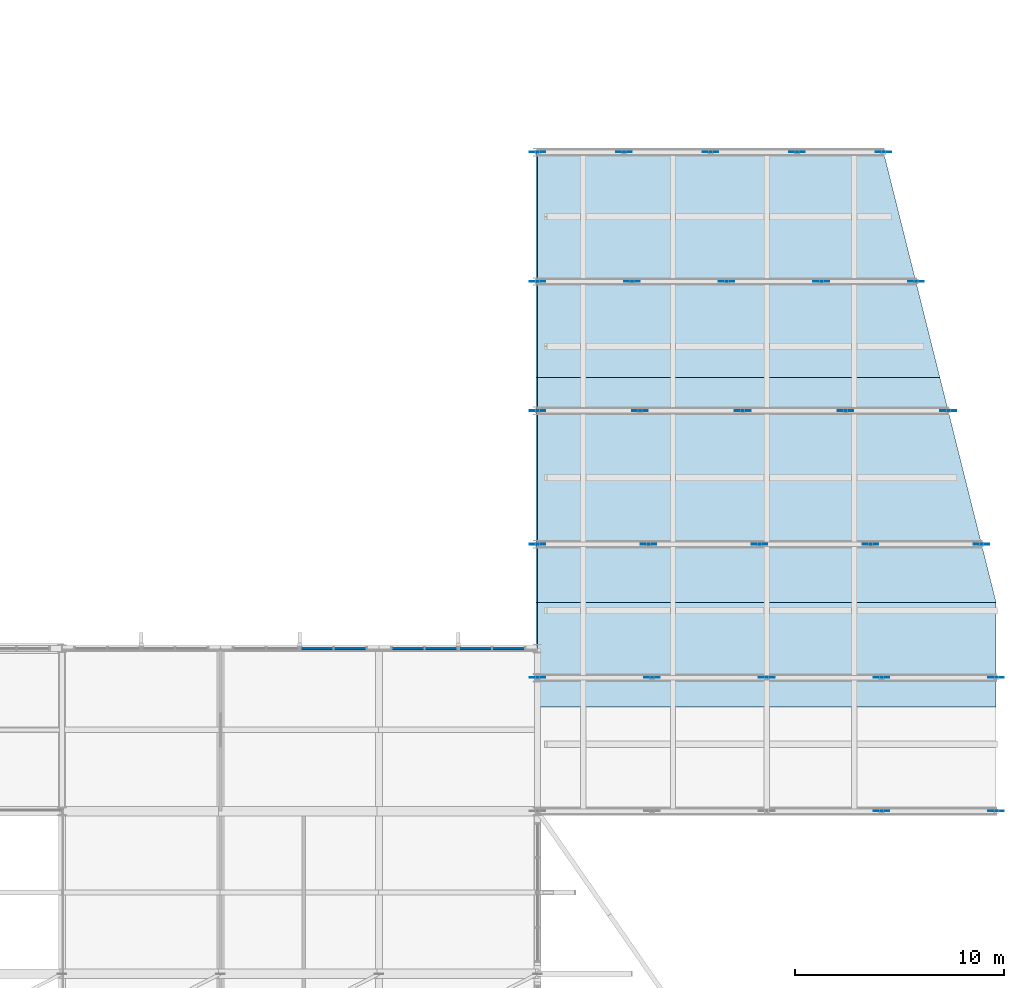
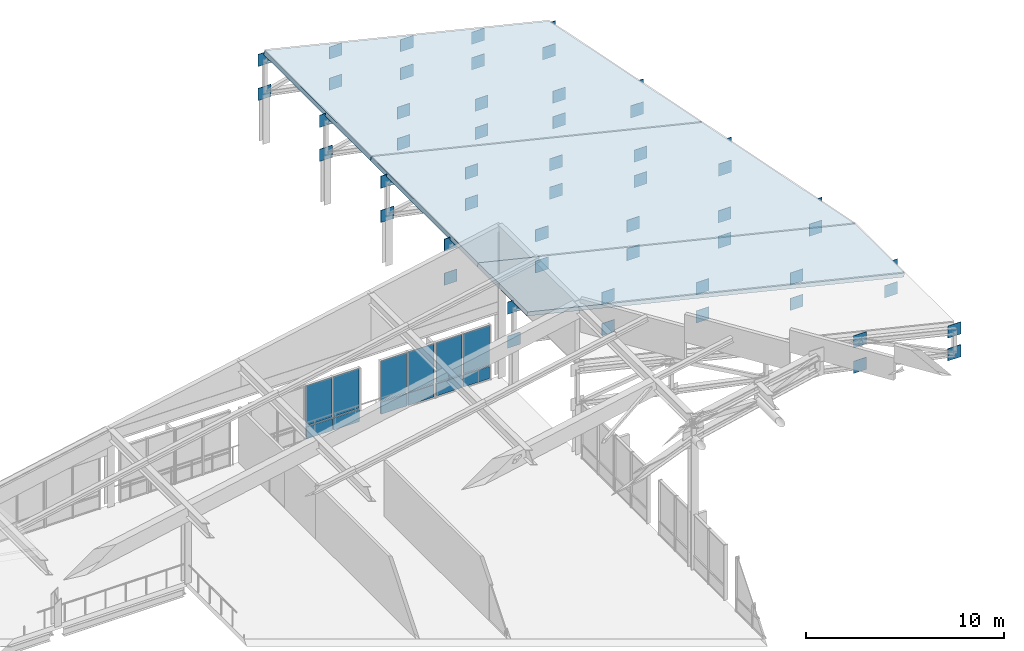
# One storey, part 42 of 73: 66 plates, 3 slabs, 3 elements without a shape of their own.
"""IFC4 building model written with IfcOpenShell, lengths in metres."""

from ifc_helpers import new_model, si_unit, direction, frame, origin, origin_2d, place, context, subcontext, project, spatial, polyline, rectangle, outline, extrude, material, layer, layer_set, type_object, element, aggregate, save


model = new_model("IFC4")

# Units and contexts
model_context = context("Model", 3, precision=1e-05, world=origin(), true_north=direction((0.0, 1.0)))
body_context = subcontext(model_context, "Body", "Model", "MODEL_VIEW")
ifc_project = project(units=[si_unit("LENGTHUNIT", "METRE"), si_unit("AREAUNIT", "SQUARE_METRE"), si_unit("VOLUMEUNIT", "CUBIC_METRE"), si_unit("PLANEANGLEUNIT", "RADIAN"), si_unit("MASSUNIT", "GRAM", prefix="KILO")], contexts=[model_context])

# Site, building, storey
site_placement = place(None, origin())
site = spatial("IfcSite", under=ifc_project, at=site_placement, CompositionType="ELEMENT")
building_placement = place(site_placement, origin())
building = spatial("IfcBuilding", under=site, at=building_placement, Name="Vervanel Yard Central Library", CompositionType="ELEMENT")
storey_placement = place(building_placement, frame((0.0, 0.0, 12.780029296875)))
storey = spatial("IfcBuildingStorey", under=building, at=storey_placement, Name="L03", CompositionType="ELEMENT", Elevation=12.780029296875)

# Slabs
ifc_material_1 = material(Name="Concrete C45/55", Category="concrete")
ifc_layer_1 = layer(ifc_material_1, 0.239990234375, Category="concrete")
ifc_layer_set_1 = layer_set([ifc_layer_1], Name="Concrete C45/55")
slab_type = type_object("IfcSlabType", Name="Auditorium Acoustic Sloped Roof Slab 240", PredefinedType="ROOF", material=ifc_layer_set_1)
slab_1_placement = place(storey_placement, frame((146.0, 79.39990234375, 5.619873046875), z_axis=(0.234200379934, 0.0, 0.972188346998), x_axis=(0.972188346998, 0.0, -0.234200379934)))
element("IfcSlab", 1, at=slab_1_placement, inside=storey, type_object=slab_type, Name="L03 V4 Auditorium Acoustic Sloped Roof Slab 240 V4-RS-02", PredefinedType="ROOF", context=body_context, shape_type="SweptSolid", body=[
    extrude(outline(polyline([(0.0, 0.0), (22.629359905345247, 0.0), (22.629359905345247, 5.000000000000001), (0.0, 5.000000000000001), (0.0, 0.0)])), origin(), (0.0, 0.0, -1.0), 0.239990234375),
])
slab_2_placement = place(storey_placement, frame((146.0, 84.39990234375, 5.619873046875), z_axis=(0.234201007065, 1.35162e-06, 0.972188195921), x_axis=(0.972188195922, -1e-12, -0.234201007065)))
element("IfcSlab", 2, at=slab_2_placement, inside=storey, type_object=slab_type, Name="L03 V4 Auditorium Acoustic Sloped Roof Slab 240 V4-RS-03", PredefinedType="ROOF", context=body_context, shape_type="SweptSolid", body=[
    extrude(outline(polyline([(0.0, 0.0), (22.62935990534054, 1.6940658945086007e-21), (19.852177107108304, 10.800048828152175), (-9.416471203645522e-12, 10.800048828115136), (0.0, 0.0)])), origin(), (0.0, 0.0, -1.0), 0.239990234375),
])
slab_3_placement = place(storey_placement, frame((146.0, 95.199951171875, 5.619873046875), z_axis=(0.234202544315, 1.554922e-06, 0.972187825594), x_axis=(0.972187825596, -1e-12, -0.234202544315)))
element("IfcSlab", 3, at=slab_3_placement, inside=storey, type_object=slab_type, Name="L03 V4 Auditorium Acoustic Sloped Roof Slab 240 V4-RS-04", PredefinedType="ROOF", context=body_context, shape_type="SweptSolid", body=[
    extrude(outline(polyline([(0.0, 0.0), (19.852177107115985, 0.0), (17.074994308928595, 10.800048828160515), (-1.4205635576938419e-11, 10.800048828111942), (0.0, 0.0)])), origin(), (0.0, 0.0, -1.0), 0.239990234375),
])

# Plates
ifc_material_2 = material(Name="Steel ASTM A572 Grade 50", Category="steel")
ifc_layer_2 = layer(ifc_material_2, 0.028076171875, Category="steel")
ifc_layer_set_2 = layer_set([ifc_layer_2], Name="Steel ASTM A572 Grade 50")
plate_type_1 = type_object("IfcPlateType", Name="Auditorium Truss Gusset Plate 28", PredefinedType="SHEET", material=ifc_layer_set_2)
for number, where, z_axis, x_axis, name in (
    (4, (162.5, 74.39990234375, 0.7900390625), (0.0, 0.0, 1.0), (1.0, 0.0, 0.0), "Auditorium Truss 1 Node 4 T Gusset Plate"),
    (5, (162.5, 74.39990234375, -0.784912109375), (0.0, 0.0, 1.0), (1.0, 0.0, 0.0), "Auditorium Truss 1 Node 4 B Gusset Plate"),
    (6, (168.0, 74.39990234375, -0.534912109375), (0.0, 0.0, 1.0), (1.0, 0.0, 0.0), "Auditorium Truss 1 Node 5 T Gusset Plate"),
    (7, (168.0, 74.39990234375, -1.93505859375), (0.0, 0.0, 1.0), (1.0, 0.0, 0.0), "Auditorium Truss 1 Node 5 B Gusset Plate"),
    (8, (146.0, 80.800048828125, 4.764892578125), (0.0, 0.0, 1.0), (1.0, 0.0, 0.0), "Auditorium Truss 2 Node 1 T Gusset Plate"),
    (9, (146.0, 80.800048828125, 2.6650390625), (0.0, 0.0, 1.0), (1.0, 0.0, 0.0), "Auditorium Truss 2 Node 1 B Gusset Plate"),
    (10, (151.5, 80.800048828125, 3.43994140625), (0.0, 0.0, 1.0), (1.0, 0.0, 0.0), "Auditorium Truss 2 Node 2 T Gusset Plate"),
    (11, (151.5, 80.800048828125, 1.514892578125), (0.0, 0.0, 1.0), (1.0, 0.0, 0.0), "Auditorium Truss 2 Node 2 B Gusset Plate"),
    (12, (157.0, 80.800048828125, 2.114990234375), (0.0, 0.0, 1.0), (1.0, 0.0, 0.0), "Auditorium Truss 2 Node 3 T Gusset Plate"),
    (13, (157.0, 80.800048828125, 0.364990234375), (0.0, 0.0, 1.0), (1.0, 0.0, 0.0), "Auditorium Truss 2 Node 3 B Gusset Plate"),
    (14, (162.5, 80.800048828125, 0.7900390625), (0.0, 0.0, 1.0), (1.0, 0.0, 0.0), "Auditorium Truss 2 Node 4 T Gusset Plate"),
    (15, (162.5, 80.800048828125, -0.784912109375), (0.0, 0.0, 1.0), (1.0, 0.0, 0.0), "Auditorium Truss 2 Node 4 B Gusset Plate"),
    (16, (168.0, 80.800048828125, -0.534912109375), (0.0, 0.0, 1.0), (1.0, 0.0, 0.0), "Auditorium Truss 2 Node 5 T Gusset Plate"),
    (17, (168.0, 80.800048828125, -1.93505859375), (0.0, 0.0, 1.0), (1.0, 0.0, 0.0), "Auditorium Truss 2 Node 5 B Gusset Plate"),
    (18, (146.0, 87.199951171875, 4.764892578125), (0.0, 0.0, 1.0), (1.0, 0.0, 0.0), "Auditorium Truss 3 Node 1 T Gusset Plate"),
    (19, (146.0, 87.199951171875, 2.6650390625), (0.0, 0.0, 1.0), (1.0, 0.0, 0.0), "Auditorium Truss 3 Node 1 B Gusset Plate"),
    (20, (151.324951171875, 87.199951171875, 3.482177734375), (0.0, 0.0, 1.0), (1.0, 0.0, 0.0), "Auditorium Truss 3 Node 2 T Gusset Plate"),
    (21, (151.324951171875, 87.199951171875, 1.55712890625), (0.0, 0.0, 1.0), (1.0, 0.0, 0.0), "Auditorium Truss 3 Node 2 B Gusset Plate"),
    (22, (156.64990234375, 87.199951171875, 2.19921875), (0.0, 0.0, 1.0), (1.0, 0.0, 0.0), "Auditorium Truss 3 Node 3 T Gusset Plate"),
    (23, (156.64990234375, 87.199951171875, 0.44921875), (0.0, 0.0, 1.0), (1.0, 0.0, 0.0), "Auditorium Truss 3 Node 3 B Gusset Plate"),
    (24, (161.97509765625, 87.199951171875, 0.91650390625), (0.0, 0.0, 1.0), (1.0, 0.0, 0.0), "Auditorium Truss 3 Node 4 T Gusset Plate"),
    (25, (161.97509765625, 87.199951171875, -0.658447265625), (0.0, 0.0, 1.0), (1.0, 0.0, 0.0), "Auditorium Truss 3 Node 4 B Gusset Plate"),
    (26, (167.300048828125, 87.199951171875, -0.366455078125), (0.0, 0.0, 1.0), (1.0, 0.0, 0.0), "Auditorium Truss 3 Node 5 T Gusset Plate"),
    (27, (167.300048828125, 87.199951171875, -1.766357421875), (0.0, 0.0, 1.0), (1.0, 0.0, 0.0), "Auditorium Truss 3 Node 5 B Gusset Plate"),
    (28, (146.0, 93.60009765625, 4.764892578125), (0.0, 0.0, 1.0), (1.0, 0.0, 0.0), "Auditorium Truss 4 Node 1 T Gusset Plate"),
    (29, (146.0, 93.60009765625, 2.6650390625), (0.0, 0.0, 1.0), (1.0, 0.0, 0.0), "Auditorium Truss 4 Node 1 B Gusset Plate"),
    (30, (150.925048828125, 93.60009765625, 3.578369140625), (0.0, 0.0, 1.0), (1.0, 0.0, 0.0), "Auditorium Truss 4 Node 2 T Gusset Plate"),
    (31, (150.925048828125, 93.60009765625, 1.653564453125), (0.0, 0.0, 1.0), (1.0, 0.0, 0.0), "Auditorium Truss 4 Node 2 B Gusset Plate"),
    (32, (155.85009765625, 93.60009765625, 2.39208984375), (0.0, 0.0, 1.0), (1.0, 0.0, 0.0), "Auditorium Truss 4 Node 3 T Gusset Plate"),
    (33, (155.85009765625, 93.60009765625, 0.64208984375), (0.0, 0.0, 1.0), (1.0, 0.0, 0.0), "Auditorium Truss 4 Node 3 B Gusset Plate"),
    (34, (160.77490234375, 93.60009765625, 1.20556640625), (0.0, 0.0, 1.0), (1.0, 0.0, 0.0), "Auditorium Truss 4 Node 4 T Gusset Plate"),
    (35, (160.77490234375, 93.60009765625, -0.369384765625), (0.0, 0.0, 1.0), (1.0, 0.0, 0.0), "Auditorium Truss 4 Node 4 B Gusset Plate"),
    (36, (165.699951171875, 93.60009765625, 0.01904296875), (0.0, 0.0, 1.0), (1.0, 0.0, 0.0), "Auditorium Truss 4 Node 5 T Gusset Plate"),
    (37, (165.699951171875, 93.60009765625, -1.380859375), (0.0, 0.0, 1.0), (1.0, 0.0, 0.0), "Auditorium Truss 4 Node 5 B Gusset Plate"),
    (38, (146.0, 99.800048828125, 4.764892578125), (0.0, 0.0, 1.0), (1.0, 0.0, 0.0), "Auditorium Truss 5 Node 1 T Gusset Plate"),
    (39, (146.0, 99.800048828125, 2.6650390625), (0.0, 0.0, 1.0), (1.0, 0.0, 0.0), "Auditorium Truss 5 Node 1 B Gusset Plate"),
    (40, (150.53759765625, 99.800048828125, 3.671875), (0.0, 0.0, 1.0), (1.0, 0.0, 0.0), "Auditorium Truss 5 Node 2 T Gusset Plate"),
    (41, (150.53759765625, 99.800048828125, 1.746826171875), (0.0, 0.0, 1.0), (1.0, 0.0, 0.0), "Auditorium Truss 5 Node 2 B Gusset Plate"),
    (42, (155.074951171875, 99.800048828125, 2.578857421875), (0.0, 0.0, 1.0), (1.0, 0.0, 0.0), "Auditorium Truss 5 Node 3 T Gusset Plate"),
    (43, (155.074951171875, 99.800048828125, 0.828857421875), (0.0, 0.0, 1.0), (1.0, 0.0, 0.0), "Auditorium Truss 5 Node 3 B Gusset Plate"),
    (44, (159.612548828125, 99.800048828125, 1.485595703125), (0.0, 0.0, 1.0), (1.0, 0.0, 0.0), "Auditorium Truss 5 Node 4 T Gusset Plate"),
    (45, (159.612548828125, 99.800048828125, -0.08935546875), (0.0, 0.0, 1.0), (1.0, 0.0, 0.0), "Auditorium Truss 5 Node 4 B Gusset Plate"),
    (46, (164.14990234375, 99.800048828125, 0.392578125), (0.0, 0.0, 1.0), (1.0, 0.0, 0.0), "Auditorium Truss 5 Node 5 T Gusset Plate"),
    (47, (164.14990234375, 99.800048828125, -1.007568359375), (0.0, 0.0, 1.0), (1.0, 0.0, 0.0), "Auditorium Truss 5 Node 5 B Gusset Plate"),
    (48, (146.0, 106.0, 4.764892578125), (0.0, 0.0, 1.0), (1.0, 0.0, 0.0), "Auditorium Truss 6 Node 1 T Gusset Plate"),
    (49, (146.0, 106.0, 2.6650390625), (0.0, 0.0, 1.0), (1.0, 0.0, 0.0), "Auditorium Truss 6 Node 1 B Gusset Plate"),
    (50, (150.14990234375, 106.0, 3.76513671875), (0.0, 0.0, 1.0), (1.0, 0.0, 0.0), "Auditorium Truss 6 Node 2 T Gusset Plate"),
    (51, (150.14990234375, 106.0, 1.840087890625), (0.0, 0.0, 1.0), (1.0, 0.0, 0.0), "Auditorium Truss 6 Node 2 B Gusset Plate"),
    (52, (154.300048828125, 106.0, 2.765380859375), (0.0, 0.0, 1.0), (1.0, 0.0, 0.0), "Auditorium Truss 6 Node 3 T Gusset Plate"),
    (53, (154.300048828125, 106.0, 1.015380859375), (0.0, 0.0, 1.0), (1.0, 0.0, 0.0), "Auditorium Truss 6 Node 3 B Gusset Plate"),
    (54, (158.449951171875, 106.0, 1.765625), (0.0, 0.0, 1.0), (1.0, 0.0, 0.0), "Auditorium Truss 6 Node 4 T Gusset Plate"),
    (55, (158.449951171875, 106.0, 0.190673828125), (0.0, 0.0, 1.0), (1.0, 0.0, 0.0), "Auditorium Truss 6 Node 4 B Gusset Plate"),
    (56, (162.60009765625, 106.0, 0.765869140625), (0.0, 0.0, 1.0), (1.0, 0.0, 0.0), "Auditorium Truss 6 Node 5 T Gusset Plate"),
    (57, (162.60009765625, 106.0, -0.634033203125), (0.0, 0.0, 1.0), (1.0, 0.0, 0.0), "Auditorium Truss 6 Node 5 B Gusset Plate"),
):
    element("IfcPlate", number, at=place(storey_placement, frame(where, z_axis=z_axis, x_axis=x_axis)), inside=storey, type_object=plate_type_1, Name=name, PredefinedType="SHEET", context=body_context, shape_type="SweptSolid", body=[
        extrude(rectangle(XDim=0.75, YDim=0.028076171875, at=origin_2d()), origin(), (0.0, 0.0, 1.0), 0.75),
    ])

# Curtain wall, plates
ifc_material_3 = material(Name="Thermally broken anodized aluminium 6063-T6", Category="aluminium")
curtain_wall_type = type_object("IfcCurtainWallType", Name="Prow Cantilever Glazed Curtain Wall", PredefinedType="NOTDEFINED", material=ifc_material_3)
curtain_wall_1_placement = place(storey_placement, origin())
curtain_wall_1 = element("IfcCurtainWall", 58, at=curtain_wall_1_placement, inside=storey, type_object=curtain_wall_type, Name="L03 Prow Cantilever Glazed Curtain Wall CWR-L03-115", PredefinedType="NOTDEFINED")
ifc_material_4 = material(Name="Double low-E laminated solar-control glass", Category="glass")
ifc_layer_3 = layer(ifc_material_4, 0.0380859375, Category="glass")
ifc_layer_set_3 = layer_set([ifc_layer_3], Name="Double low-E laminated solar-control glass")
plate_type_2 = type_object("IfcPlateType", Name="Reading Hall Acoustic Vision Panel 38", PredefinedType="CURTAIN_PANEL", material=ifc_layer_set_3)
plate_1_placement = place(storey_placement, frame((135.427490234375, 82.199951171875, 0.884765625), z_axis=(0.0, 0.0, 1.0), x_axis=(1.0, 0.0, 0.0)))
plate_1 = element("IfcPlate", 59, at=plate_1_placement, type_object=plate_type_2, Name="CWR-L03-115 Panel B1-2", PredefinedType="CURTAIN_PANEL", context=body_context, shape_type="SweptSolid", body=[
    extrude(rectangle(XDim=1.514892578125, YDim=0.0380859375, at=origin_2d()), origin(), (0.0, 0.0, 1.0), 2.445068359375),
])
plate_2_placement = place(storey_placement, frame((137.012451171875, 82.199951171875, 0.884765625), z_axis=(0.0, 0.0, 1.0), x_axis=(1.0, 0.0, 0.0)))
plate_2 = element("IfcPlate", 60, at=plate_2_placement, type_object=plate_type_2, Name="CWR-L03-115 Panel B2-2", PredefinedType="CURTAIN_PANEL", context=body_context, shape_type="SweptSolid", body=[
    extrude(rectangle(XDim=1.514892578125, YDim=0.0380859375, at=origin_2d()), origin(), (0.0, 0.0, 1.0), 2.445068359375),
])

curtain_wall_2_placement = place(storey_placement, origin())
curtain_wall_2 = element("IfcCurtainWall", 61, at=curtain_wall_2_placement, inside=storey, type_object=curtain_wall_type, Name="L03 Prow Cantilever Glazed Curtain Wall CWR-L03-116", PredefinedType="NOTDEFINED")
plate_3_placement = place(storey_placement, frame((139.78759765625, 82.199951171875, 0.884765625), z_axis=(0.0, 0.0, 1.0), x_axis=(1.0, 0.0, 0.0)))
plate_3 = element("IfcPlate", 62, at=plate_3_placement, type_object=plate_type_2, Name="CWR-L03-116 Panel B1-2", PredefinedType="CURTAIN_PANEL", context=body_context, shape_type="SweptSolid", body=[
    extrude(rectangle(XDim=1.514892578125, YDim=0.0380859375, at=origin_2d()), origin(), (0.0, 0.0, 1.0), 2.445068359375),
])
plate_4_placement = place(storey_placement, frame((141.37255859375, 82.199951171875, 0.884765625), z_axis=(0.0, 0.0, 1.0), x_axis=(1.0, 0.0, 0.0)))
plate_4 = element("IfcPlate", 63, at=plate_4_placement, type_object=plate_type_2, Name="CWR-L03-116 Panel B2-2", PredefinedType="CURTAIN_PANEL", context=body_context, shape_type="SweptSolid", body=[
    extrude(rectangle(XDim=1.514892578125, YDim=0.0380859375, at=origin_2d()), origin(), (0.0, 0.0, 1.0), 2.445068359375),
])

curtain_wall_3_placement = place(storey_placement, origin())
curtain_wall_3 = element("IfcCurtainWall", 64, at=curtain_wall_3_placement, inside=storey, type_object=curtain_wall_type, Name="L03 Prow Cantilever Glazed Curtain Wall CWR-L03-117", PredefinedType="NOTDEFINED")
plate_5_placement = place(storey_placement, frame((143.027587890625, 82.199951171875, 0.884765625), z_axis=(0.0, 0.0, 1.0), x_axis=(1.0, 0.0, 0.0)))
plate_5 = element("IfcPlate", 65, at=plate_5_placement, type_object=plate_type_2, Name="CWR-L03-117 Panel B1-2", PredefinedType="CURTAIN_PANEL", context=body_context, shape_type="SweptSolid", body=[
    extrude(rectangle(XDim=1.514892578125, YDim=0.0380859375, at=origin_2d()), origin(), (0.0, 0.0, 1.0), 2.445068359375),
])
plate_6_placement = place(storey_placement, frame((144.612548828125, 82.199951171875, 0.884765625), z_axis=(0.0, 0.0, 1.0), x_axis=(1.0, 0.0, 0.0)))
plate_6 = element("IfcPlate", 66, at=plate_6_placement, type_object=plate_type_2, Name="CWR-L03-117 Panel B2-2", PredefinedType="CURTAIN_PANEL", context=body_context, shape_type="SweptSolid", body=[
    extrude(rectangle(XDim=1.514892578125, YDim=0.0380859375, at=origin_2d()), origin(), (0.0, 0.0, 1.0), 2.445068359375),
])

# Plate
ifc_material_5 = material(Name="Insulated bronze aluminium spandrel panel", Category="aluminium")
ifc_layer_4 = layer(ifc_material_5, 0.094970703125, Category="aluminium")
ifc_layer_set_4 = layer_set([ifc_layer_4], Name="Insulated bronze aluminium spandrel panel")
plate_type_3 = type_object("IfcPlateType", Name="Reading Hall Shadow-Box Spandrel 95", PredefinedType="CURTAIN_PANEL", material=ifc_layer_set_4)
plate_7_placement = place(storey_placement, frame((135.427490234375, 82.199951171875, 0.06982421875), z_axis=(0.0, 0.0, 1.0), x_axis=(1.0, 0.0, 0.0)))
plate_7 = element("IfcPlate", 67, at=plate_7_placement, type_object=plate_type_3, Name="CWR-L03-115 Panel B1-1", PredefinedType="CURTAIN_PANEL", context=body_context, shape_type="SweptSolid", body=[
    extrude(rectangle(XDim=1.514892578125, YDim=0.094970703125, at=origin_2d()), origin(), (0.0, 0.0, 1.0), 0.7451171875),
])

plate_8_placement = place(storey_placement, frame((137.012451171875, 82.199951171875, 0.06982421875), z_axis=(0.0, 0.0, 1.0), x_axis=(1.0, 0.0, 0.0)))
plate_8 = element("IfcPlate", 68, at=plate_8_placement, type_object=plate_type_3, Name="CWR-L03-115 Panel B2-1", PredefinedType="CURTAIN_PANEL", context=body_context, shape_type="SweptSolid", body=[
    extrude(rectangle(XDim=1.514892578125, YDim=0.094970703125, at=origin_2d()), origin(), (0.0, 0.0, 1.0), 0.7451171875),
])

aggregate(curtain_wall_1, [plate_7, plate_1, plate_8, plate_2])

plate_9_placement = place(storey_placement, frame((139.78759765625, 82.199951171875, 0.06982421875), z_axis=(0.0, 0.0, 1.0), x_axis=(1.0, 0.0, 0.0)))
plate_9 = element("IfcPlate", 69, at=plate_9_placement, type_object=plate_type_3, Name="CWR-L03-116 Panel B1-1", PredefinedType="CURTAIN_PANEL", context=body_context, shape_type="SweptSolid", body=[
    extrude(rectangle(XDim=1.514892578125, YDim=0.094970703125, at=origin_2d()), origin(), (0.0, 0.0, 1.0), 0.7451171875),
])

plate_10_placement = place(storey_placement, frame((141.37255859375, 82.199951171875, 0.06982421875), z_axis=(0.0, 0.0, 1.0), x_axis=(1.0, 0.0, 0.0)))
plate_10 = element("IfcPlate", 70, at=plate_10_placement, type_object=plate_type_3, Name="CWR-L03-116 Panel B2-1", PredefinedType="CURTAIN_PANEL", context=body_context, shape_type="SweptSolid", body=[
    extrude(rectangle(XDim=1.514892578125, YDim=0.094970703125, at=origin_2d()), origin(), (0.0, 0.0, 1.0), 0.7451171875),
])

aggregate(curtain_wall_2, [plate_9, plate_3, plate_10, plate_4])

plate_11_placement = place(storey_placement, frame((143.027587890625, 82.199951171875, 0.06982421875), z_axis=(0.0, 0.0, 1.0), x_axis=(1.0, 0.0, 0.0)))
plate_11 = element("IfcPlate", 71, at=plate_11_placement, type_object=plate_type_3, Name="CWR-L03-117 Panel B1-1", PredefinedType="CURTAIN_PANEL", context=body_context, shape_type="SweptSolid", body=[
    extrude(rectangle(XDim=1.514892578125, YDim=0.094970703125, at=origin_2d()), origin(), (0.0, 0.0, 1.0), 0.7451171875),
])

plate_12_placement = place(storey_placement, frame((144.612548828125, 82.199951171875, 0.06982421875), z_axis=(0.0, 0.0, 1.0), x_axis=(1.0, 0.0, 0.0)))
plate_12 = element("IfcPlate", 72, at=plate_12_placement, type_object=plate_type_3, Name="CWR-L03-117 Panel B2-1", PredefinedType="CURTAIN_PANEL", context=body_context, shape_type="SweptSolid", body=[
    extrude(rectangle(XDim=1.514892578125, YDim=0.094970703125, at=origin_2d()), origin(), (0.0, 0.0, 1.0), 0.7451171875),
])

aggregate(curtain_wall_3, [plate_11, plate_5, plate_12, plate_6])

save(model, "model.ifc")
